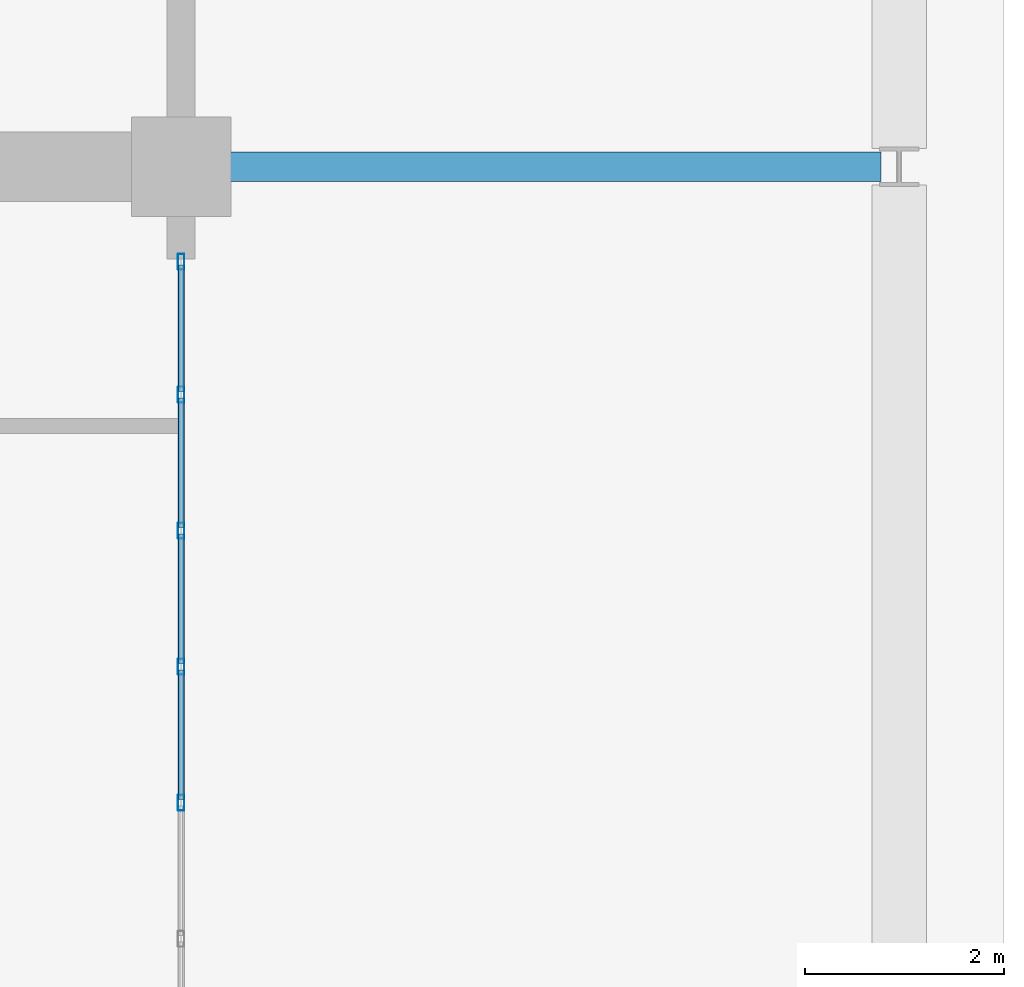
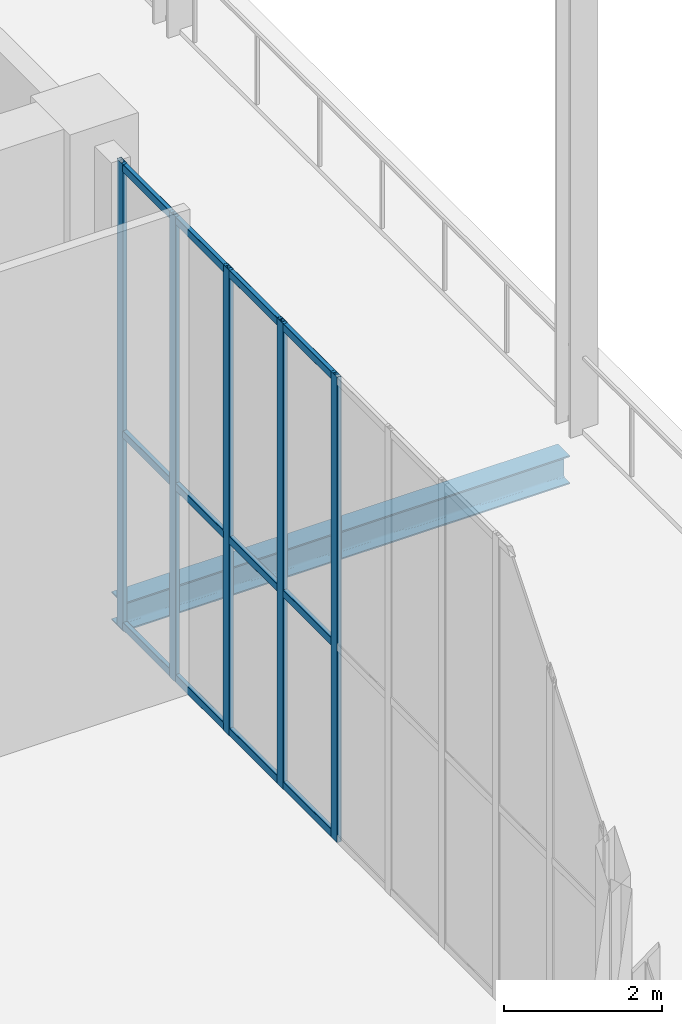
# One storey, part 18 of 23: 17 members, 1 beam, 1 element without a shape of its own.
"""IFC4 building model written with IfcOpenShell, lengths in metres."""

from ifc_helpers import new_model, si_unit, direction, frame, origin, origin_2d, place, context, subcontext, project, spatial, hollow_rectangle, i_section, extrude, material, layer, layer_set, material_profile, profile_set, type_object, element, aggregate, save


model = new_model("IFC4")

# Units and contexts
model_context = context("Model", 3, precision=1e-05, world=origin(), true_north=direction((0.0, 1.0)))
body_context = subcontext(model_context, "Body", "Model", "MODEL_VIEW")
ifc_project = project(units=[si_unit("LENGTHUNIT", "METRE"), si_unit("AREAUNIT", "SQUARE_METRE"), si_unit("VOLUMEUNIT", "CUBIC_METRE"), si_unit("PLANEANGLEUNIT", "RADIAN"), si_unit("MASSUNIT", "GRAM", prefix="KILO")], contexts=[model_context])

# Site, building, storey
site_placement = place(None, origin())
site = spatial("IfcSite", under=ifc_project, at=site_placement, CompositionType="ELEMENT")
building_placement = place(site_placement, origin())
building = spatial("IfcBuilding", under=site, at=building_placement, Name="Kaelvorn Grand Hotel", CompositionType="ELEMENT")
storey_placement = place(building_placement, frame((0.0, 0.0, 310.699951171875)))
storey = spatial("IfcBuildingStorey", under=building, at=storey_placement, Name="L75", CompositionType="ELEMENT", Elevation=310.699951171875)

# Beam
ifc_material_1 = material(Name="Steel S355", Category="steel")
ifc_material_profile_1 = material_profile(ifc_material_1, i_section(OverallWidth=0.300048828125, OverallDepth=0.43994140625, WebThickness=0.011474609375, FlangeThickness=0.02099609375, FilletRadius=0.027099609375, at=origin_2d()), Name="HEA 450")
ifc_profile_set_1 = profile_set([ifc_material_profile_1], Name="Steel S355")
beam_type = type_object("IfcBeamType", Name="BM-G-HEA450-S355", PredefinedType="BEAM", material=ifc_profile_set_1)
beam_placement = place(storey_placement, frame((68.284912109375, 29.39990234375, -0.52001953125), z_axis=(1.0, 0.0, 0.0), x_axis=(0.0, 1.0, 0.0)))
element("IfcBeam", 1, at=beam_placement, inside=storey, type_object=beam_type, Name="L75 East Core Wing Steel Girder G-29E 01", PredefinedType="BEAM", context=body_context, shape_type="SweptSolid", body=[
    extrude(i_section(OverallWidth=0.300048828125, OverallDepth=0.43994140625, WebThickness=0.011474609375, FlangeThickness=0.02099609375, FilletRadius=0.027099609375, at=origin_2d()), origin(), (0.0, 0.0, 1.0), 6.530029296875),
])

# Curtain wall, members
ifc_material_2 = material(Name="Anodised Aluminium", Category="aluminium")
ifc_layer = layer(ifc_material_2, 0.159912109375)
ifc_layer_set = layer_set([ifc_layer], Name="Anodised Aluminium")
curtain_wall_type = type_object("IfcCurtainWallType", Name="CW-SYS6", PredefinedType="NOTDEFINED", material=ifc_layer_set)
curtain_wall_placement = place(storey_placement, origin())
curtain_wall = element("IfcCurtainWall", 2, at=curtain_wall_placement, inside=storey, type_object=curtain_wall_type, Name="L75 Unitised Curtain Wall CW6 (CW-L75-E-01)", PredefinedType="NOTDEFINED")
ifc_material_profile_2 = material_profile(ifc_material_2, hollow_rectangle(XDim=0.06494140625, YDim=0.159912109375, WallThickness=0.00341796875, InnerFilletRadius=0.00341796875, OuterFilletRadius=0.007080078125, at=origin_2d()), Name="ALU MULL 65x160")
ifc_profile_set_2 = profile_set([ifc_material_profile_2], Name="Anodised Aluminium")
member_type_1 = type_object("IfcMemberType", Name="CW-SYS6-MULL", PredefinedType="MULLION", material=ifc_profile_set_2)
member_1_placement = place(storey_placement, frame((67.800048828125, 23.022216796875, 0.0), z_axis=(0.0, 0.0, 1.0), x_axis=(-1.0, 0.0, 0.0)))
member_1 = element("IfcMember", 3, at=member_1_placement, type_object=member_type_1, Name="CW6 mullion 6", PredefinedType="MULLION", context=body_context, shape_type="SweptSolid", body=[
    extrude(hollow_rectangle(XDim=0.06494140625, YDim=0.159912109375, WallThickness=0.00341796875, InnerFilletRadius=0.00341796875, OuterFilletRadius=0.007080078125, at=origin_2d()), origin(), (0.0, 0.0, 1.0), 7.199951171875),
])
member_2_placement = place(storey_placement, frame((67.800048828125, 24.38671875, 0.0), z_axis=(0.0, 0.0, 1.0), x_axis=(-1.0, 0.0, 0.0)))
member_2 = element("IfcMember", 4, at=member_2_placement, type_object=member_type_1, Name="CW6 mullion 7", PredefinedType="MULLION", context=body_context, shape_type="SweptSolid", body=[
    extrude(hollow_rectangle(XDim=0.06494140625, YDim=0.159912109375, WallThickness=0.00341796875, InnerFilletRadius=0.00341796875, OuterFilletRadius=0.007080078125, at=origin_2d()), origin(), (0.0, 0.0, 1.0), 7.199951171875),
])
member_3_placement = place(storey_placement, frame((67.800048828125, 25.751220703125, 0.0), z_axis=(0.0, 0.0, 1.0), x_axis=(-1.0, 0.0, 0.0)))
member_3 = element("IfcMember", 5, at=member_3_placement, type_object=member_type_1, Name="CW6 mullion 8", PredefinedType="MULLION", context=body_context, shape_type="SweptSolid", body=[
    extrude(hollow_rectangle(XDim=0.06494140625, YDim=0.159912109375, WallThickness=0.00341796875, InnerFilletRadius=0.00341796875, OuterFilletRadius=0.007080078125, at=origin_2d()), origin(), (0.0, 0.0, 1.0), 7.199951171875),
])
member_4_placement = place(storey_placement, frame((67.800048828125, 27.115478515625, 0.0), z_axis=(0.0, 0.0, 1.0), x_axis=(-1.0, 0.0, 0.0)))
member_4 = element("IfcMember", 6, at=member_4_placement, type_object=member_type_1, Name="CW6 mullion 9", PredefinedType="MULLION", context=body_context, shape_type="SweptSolid", body=[
    extrude(hollow_rectangle(XDim=0.06494140625, YDim=0.159912109375, WallThickness=0.00341796875, InnerFilletRadius=0.00341796875, OuterFilletRadius=0.007080078125, at=origin_2d()), origin(), (0.0, 0.0, 1.0), 7.199951171875),
])
member_5_placement = place(storey_placement, frame((67.800048828125, 28.447509765625, 0.0), z_axis=(0.0, 0.0, 1.0), x_axis=(-1.0, 0.0, 0.0)))
member_5 = element("IfcMember", 7, at=member_5_placement, type_object=member_type_1, Name="CW6 mullion 10", PredefinedType="MULLION", context=body_context, shape_type="SweptSolid", body=[
    extrude(hollow_rectangle(XDim=0.06494140625, YDim=0.159912109375, WallThickness=0.00341796875, InnerFilletRadius=0.00341796875, OuterFilletRadius=0.007080078125, at=origin_2d()), origin(), (0.0, 0.0, 1.0), 7.199951171875),
])
ifc_material_profile_3 = material_profile(ifc_material_2, hollow_rectangle(XDim=0.06494140625, YDim=0.1201171875, WallThickness=0.00341796875, InnerFilletRadius=0.00341796875, OuterFilletRadius=0.007080078125, at=origin_2d()), Name="ALU TRAN 65x120")
ifc_profile_set_3 = profile_set([ifc_material_profile_3], Name="Anodised Aluminium")
member_type_2 = type_object("IfcMemberType", Name="CW-SYS6-TRAN", PredefinedType="NOTDEFINED", material=ifc_profile_set_3)
member_6_placement = place(storey_placement, frame((67.800048828125, 23.0546875, 0.06005859375), z_axis=(0.0, 1.0, 0.0), x_axis=(-1.0, 0.0, 0.0)))
member_6 = element("IfcMember", 8, at=member_6_placement, type_object=member_type_2, Name="CW6 transom 6.1", ObjectType="TRANSOM", PredefinedType="USERDEFINED", context=body_context, shape_type="SweptSolid", body=[
    extrude(hollow_rectangle(XDim=0.06494140625, YDim=0.1201171875, WallThickness=0.00341796875, InnerFilletRadius=0.00341796875, OuterFilletRadius=0.007080078125, at=origin_2d()), origin(), (0.0, 0.0, 1.0), 1.299560546875),
])
member_7_placement = place(storey_placement, frame((67.800048828125, 23.0546875, 3.024169921875), z_axis=(0.0, 1.0, 0.0), x_axis=(-1.0, 0.0, 0.0)))
member_7 = element("IfcMember", 9, at=member_7_placement, type_object=member_type_2, Name="CW6 transom 6.2", ObjectType="TRANSOM", PredefinedType="USERDEFINED", context=body_context, shape_type="SweptSolid", body=[
    extrude(hollow_rectangle(XDim=0.06494140625, YDim=0.1201171875, WallThickness=0.00341796875, InnerFilletRadius=0.00341796875, OuterFilletRadius=0.007080078125, at=origin_2d()), origin(), (0.0, 0.0, 1.0), 1.299560546875),
])
member_8_placement = place(storey_placement, frame((67.800048828125, 23.0546875, 7.14013671875), z_axis=(0.0, 1.0, 0.0), x_axis=(-1.0, 0.0, 0.0)))
member_8 = element("IfcMember", 10, at=member_8_placement, type_object=member_type_2, Name="CW6 transom 6.3", ObjectType="TRANSOM", PredefinedType="USERDEFINED", context=body_context, shape_type="SweptSolid", body=[
    extrude(hollow_rectangle(XDim=0.06494140625, YDim=0.1201171875, WallThickness=0.00341796875, InnerFilletRadius=0.00341796875, OuterFilletRadius=0.007080078125, at=origin_2d()), origin(), (0.0, 0.0, 1.0), 1.299560546875),
])
member_9_placement = place(storey_placement, frame((67.800048828125, 24.419189453125, 0.06005859375), z_axis=(0.0, 1.0, 0.0), x_axis=(-1.0, 0.0, 0.0)))
member_9 = element("IfcMember", 11, at=member_9_placement, type_object=member_type_2, Name="CW6 transom 7.1", ObjectType="TRANSOM", PredefinedType="USERDEFINED", context=body_context, shape_type="SweptSolid", body=[
    extrude(hollow_rectangle(XDim=0.06494140625, YDim=0.1201171875, WallThickness=0.00341796875, InnerFilletRadius=0.00341796875, OuterFilletRadius=0.007080078125, at=origin_2d()), origin(), (0.0, 0.0, 1.0), 1.29931640625),
])
member_10_placement = place(storey_placement, frame((67.800048828125, 24.419189453125, 3.024169921875), z_axis=(0.0, 1.0, 0.0), x_axis=(-1.0, 0.0, 0.0)))
member_10 = element("IfcMember", 12, at=member_10_placement, type_object=member_type_2, Name="CW6 transom 7.2", ObjectType="TRANSOM", PredefinedType="USERDEFINED", context=body_context, shape_type="SweptSolid", body=[
    extrude(hollow_rectangle(XDim=0.06494140625, YDim=0.1201171875, WallThickness=0.00341796875, InnerFilletRadius=0.00341796875, OuterFilletRadius=0.007080078125, at=origin_2d()), origin(), (0.0, 0.0, 1.0), 1.29931640625),
])
member_11_placement = place(storey_placement, frame((67.800048828125, 24.419189453125, 7.14013671875), z_axis=(0.0, 1.0, 0.0), x_axis=(-1.0, 0.0, 0.0)))
member_11 = element("IfcMember", 13, at=member_11_placement, type_object=member_type_2, Name="CW6 transom 7.3", ObjectType="TRANSOM", PredefinedType="USERDEFINED", context=body_context, shape_type="SweptSolid", body=[
    extrude(hollow_rectangle(XDim=0.06494140625, YDim=0.1201171875, WallThickness=0.00341796875, InnerFilletRadius=0.00341796875, OuterFilletRadius=0.007080078125, at=origin_2d()), origin(), (0.0, 0.0, 1.0), 1.29931640625),
])
member_12_placement = place(storey_placement, frame((67.800048828125, 25.78369140625, 0.06005859375), z_axis=(0.0, 1.0, 0.0), x_axis=(-1.0, 0.0, 0.0)))
member_12 = element("IfcMember", 14, at=member_12_placement, type_object=member_type_2, Name="CW6 transom 8.1", ObjectType="TRANSOM", PredefinedType="USERDEFINED", context=body_context, shape_type="SweptSolid", body=[
    extrude(hollow_rectangle(XDim=0.06494140625, YDim=0.1201171875, WallThickness=0.00341796875, InnerFilletRadius=0.00341796875, OuterFilletRadius=0.007080078125, at=origin_2d()), origin(), (0.0, 0.0, 1.0), 1.29931640625),
])
member_13_placement = place(storey_placement, frame((67.800048828125, 25.78369140625, 3.024169921875), z_axis=(0.0, 1.0, 0.0), x_axis=(-1.0, 0.0, 0.0)))
member_13 = element("IfcMember", 15, at=member_13_placement, type_object=member_type_2, Name="CW6 transom 8.2", ObjectType="TRANSOM", PredefinedType="USERDEFINED", context=body_context, shape_type="SweptSolid", body=[
    extrude(hollow_rectangle(XDim=0.06494140625, YDim=0.1201171875, WallThickness=0.00341796875, InnerFilletRadius=0.00341796875, OuterFilletRadius=0.007080078125, at=origin_2d()), origin(), (0.0, 0.0, 1.0), 1.29931640625),
])
member_14_placement = place(storey_placement, frame((67.800048828125, 25.78369140625, 7.14013671875), z_axis=(0.0, 1.0, 0.0), x_axis=(-1.0, 0.0, 0.0)))
member_14 = element("IfcMember", 16, at=member_14_placement, type_object=member_type_2, Name="CW6 transom 8.3", ObjectType="TRANSOM", PredefinedType="USERDEFINED", context=body_context, shape_type="SweptSolid", body=[
    extrude(hollow_rectangle(XDim=0.06494140625, YDim=0.1201171875, WallThickness=0.00341796875, InnerFilletRadius=0.00341796875, OuterFilletRadius=0.007080078125, at=origin_2d()), origin(), (0.0, 0.0, 1.0), 1.29931640625),
])
member_15_placement = place(storey_placement, frame((67.800048828125, 27.14794921875, 0.06005859375), z_axis=(0.0, 1.0, 0.0), x_axis=(-1.0, 0.0, 0.0)))
member_15 = element("IfcMember", 17, at=member_15_placement, type_object=member_type_2, Name="CW6 transom 9.1", ObjectType="TRANSOM", PredefinedType="USERDEFINED", context=body_context, shape_type="SweptSolid", body=[
    extrude(hollow_rectangle(XDim=0.06494140625, YDim=0.1201171875, WallThickness=0.00341796875, InnerFilletRadius=0.00341796875, OuterFilletRadius=0.007080078125, at=origin_2d()), origin(), (0.0, 0.0, 1.0), 1.26708984375),
])
member_16_placement = place(storey_placement, frame((67.800048828125, 27.14794921875, 3.024169921875), z_axis=(0.0, 1.0, 0.0), x_axis=(-1.0, 0.0, 0.0)))
member_16 = element("IfcMember", 18, at=member_16_placement, type_object=member_type_2, Name="CW6 transom 9.2", ObjectType="TRANSOM", PredefinedType="USERDEFINED", context=body_context, shape_type="SweptSolid", body=[
    extrude(hollow_rectangle(XDim=0.06494140625, YDim=0.1201171875, WallThickness=0.00341796875, InnerFilletRadius=0.00341796875, OuterFilletRadius=0.007080078125, at=origin_2d()), origin(), (0.0, 0.0, 1.0), 1.26708984375),
])
member_17_placement = place(storey_placement, frame((67.800048828125, 27.14794921875, 7.14013671875), z_axis=(0.0, 1.0, 0.0), x_axis=(-1.0, 0.0, 0.0)))
member_17 = element("IfcMember", 19, at=member_17_placement, type_object=member_type_2, Name="CW6 transom 9.3", ObjectType="TRANSOM", PredefinedType="USERDEFINED", context=body_context, shape_type="SweptSolid", body=[
    extrude(hollow_rectangle(XDim=0.06494140625, YDim=0.1201171875, WallThickness=0.00341796875, InnerFilletRadius=0.00341796875, OuterFilletRadius=0.007080078125, at=origin_2d()), origin(), (0.0, 0.0, 1.0), 1.26708984375),
])
aggregate(curtain_wall, [member_1, member_2, member_3, member_4, member_5, member_6, member_7, member_8, member_9, member_10, member_11, member_12, member_13, member_14, member_15, member_16, member_17])

save(model, "model.ifc")
